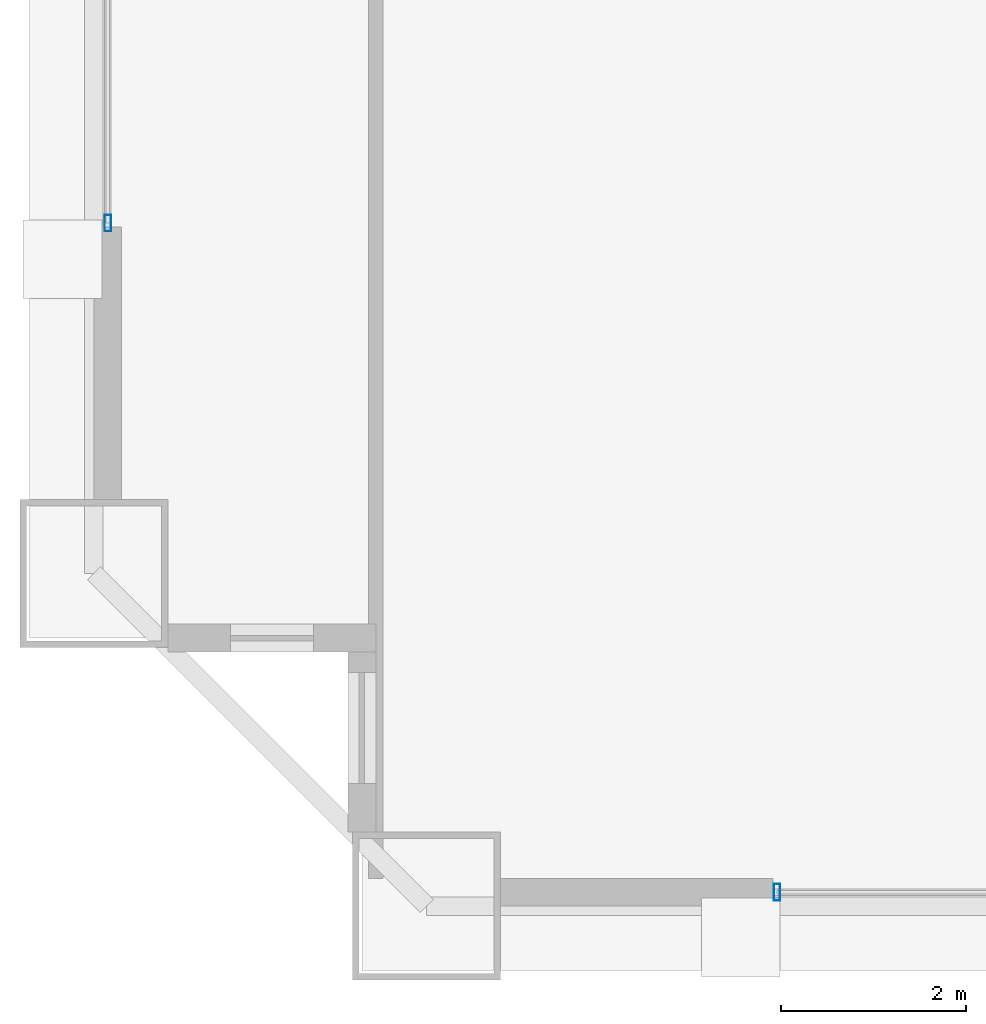
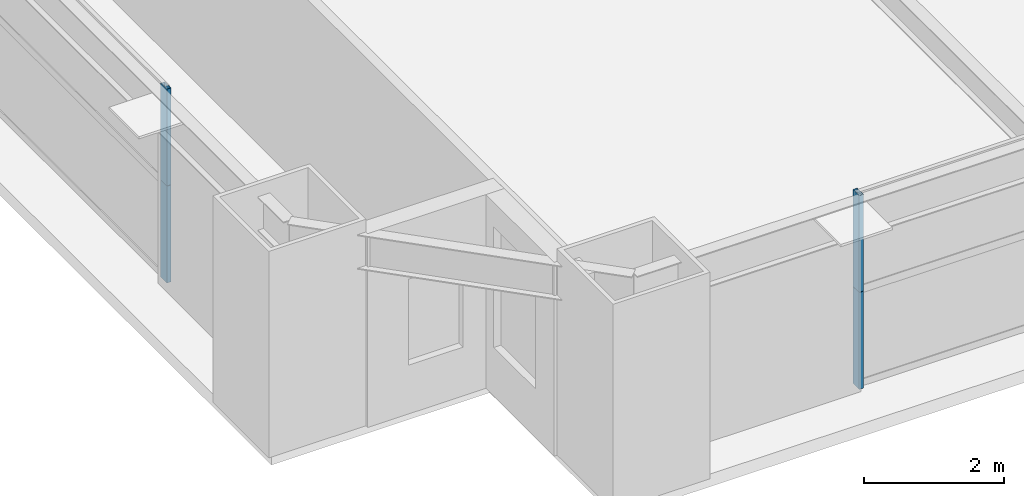
# One storey, part 3 of 38: 4 members, 2 elements without a shape of their own.
"""IFC4 building model written with IfcOpenShell, lengths in metres."""

import ifcopenshell
import ifcopenshell.guid

model = None  # the IFC model being written
_history = None  # IfcOwnerHistory: only IFC2X3 demands one
_inside = {}  # id of a spatial element -> (the spatial element, [elements in it])
_under = {}  # id of a project, library or spatial element -> (it, [spatial elements below it])
_declared = {}  # id of a project -> (the project, [libraries it declares])
_typed = {}  # id of a type object -> (the type object, [elements of that type])
_made_of = {}  # id of a material, layer set ... -> (it, [elements and type objects made of it])


def new_model(schema):
    """Start an empty IFC model of exactly this schema.

    Asked for "IFC4X3", IfcOpenShell would pick the latest addendum, in which some entities
    have other attributes; the version numbers below select the first issue.
    IFC2X3 requires an IfcOwnerHistory on every rooted entity: one is made here for all.
    """
    global model, _history
    if schema == "IFC4X3":
        model = ifcopenshell.file(schema_version=(4, 3, 0, 0))
    else:
        model = ifcopenshell.file(schema=schema)
    _inside.clear()
    _under.clear()
    _declared.clear()
    _typed.clear()
    _made_of.clear()
    _history = None
    if model.schema == "IFC2X3":
        org = make("IfcOrganization", Name="unknown")
        user = make(
            "IfcPersonAndOrganization",
            ThePerson=make("IfcPerson", FamilyName="unknown"),
            TheOrganization=org,
        )
        app = make(
            "IfcApplication",
            ApplicationDeveloper=org,
            Version="unknown",
            ApplicationFullName="unknown",
            ApplicationIdentifier="unknown",
        )
        _history = make(
            "IfcOwnerHistory",
            OwningUser=user,
            OwningApplication=app,
            ChangeAction="ADDED",
            CreationDate=0,
        )
    return model


def make(cls, **values):
    """One entity of the class cls with the attributes given. An attribute that is None is left unset."""
    return model.create_entity(
        cls, **{name: value for name, value in values.items() if value is not None}
    )


def rooted(cls, **values):
    """An entity with a GlobalId (a new one), such as an element, a storey or a relation."""
    return make(cls, GlobalId=ifcopenshell.guid.new(), OwnerHistory=_history, **values)


def si_unit(unit_type, name, prefix=None):
    """IfcSIUnit, for example si_unit("LENGTHUNIT", "METRE", prefix="MILLI")."""
    return make("IfcSIUnit", UnitType=unit_type, Prefix=prefix, Name=name)


def assignment(units):
    """IfcUnitAssignment: the units of a project."""
    return None if units is None else make("IfcUnitAssignment", Units=units)


def point(xyz):
    """IfcCartesianPoint."""
    return None if xyz is None else make("IfcCartesianPoint", Coordinates=xyz)


def direction(xyz):
    """IfcDirection."""
    return None if xyz is None else make("IfcDirection", DirectionRatios=xyz)


def frame(location, z_axis=None, x_axis=None):
    """IfcAxis2Placement3D, a coordinate frame: its origin and axes. An axis left out is left unset."""
    return make(
        "IfcAxis2Placement3D",
        Location=point(location),
        Axis=direction(z_axis),
        RefDirection=direction(x_axis),
    )


def frame_2d(location, x_axis=None):
    """IfcAxis2Placement2D, a coordinate frame in the plane: its origin and x axis."""
    return make(
        "IfcAxis2Placement2D", Location=point(location), RefDirection=direction(x_axis)
    )


def origin():
    """The frame at (0, 0, 0) with its axes left unset."""
    return frame((0.0, 0.0, 0.0))


def origin_2d():
    """The frame at (0, 0) in the plane with its x axis left unset."""
    return frame_2d((0.0, 0.0))


def place(relative_to, where):
    """IfcLocalPlacement: puts the frame where relative to a parent placement (None: the world)."""
    return make(
        "IfcLocalPlacement", PlacementRelTo=relative_to, RelativePlacement=where
    )


def context(
    kind, dimensions, precision=None, world=None, true_north=None, identifier=None
):
    """IfcGeometricRepresentationContext, for example the 3D "Model" context."""
    return make(
        "IfcGeometricRepresentationContext",
        ContextIdentifier=identifier,
        ContextType=kind,
        CoordinateSpaceDimension=dimensions,
        Precision=precision,
        WorldCoordinateSystem=world,
        TrueNorth=true_north,
    )


def subcontext(parent, identifier, kind, view, scale=None):
    """IfcGeometricRepresentationSubContext, for example "Body" below "Model"."""
    return make(
        "IfcGeometricRepresentationSubContext",
        ContextIdentifier=identifier,
        ContextType=kind,
        ParentContext=parent,
        TargetScale=scale,
        TargetView=view,
    )


def project(units=None, contexts=None):
    """IfcProject with its units and contexts."""
    return rooted(
        "IfcProject",
        Name="project",
        RepresentationContexts=contexts,
        UnitsInContext=assignment(units),
    )


def spatial(cls, under=None, at=None, **own):
    """A site, building, storey or space (cls), placed at a placement, below another one or the project."""
    s = rooted(cls, ObjectPlacement=at, **own)
    if under is not None:
        _under.setdefault(under.id(), (under, []))[1].append(s)
    return s


def profile(cls, at=None, kind="AREA", **sizes):
    """A parametric profile (cls). Its sizes go by their IFC names, for example OverallWidth=200.0."""
    return make(cls, ProfileType=kind, Position=at, **sizes)


def hollow_rectangle(**sizes):
    """IfcRectangleHollowProfileDef."""
    return profile("IfcRectangleHollowProfileDef", **sizes)


def extrude(swept, where, along, depth):
    """IfcExtrudedAreaSolid: the profile swept, set in the frame where, extruded along a direction by depth."""
    return make(
        "IfcExtrudedAreaSolid",
        SweptArea=swept,
        Position=where,
        ExtrudedDirection=direction(along),
        Depth=depth,
    )


def shape(context_of_items, identifier, shape_type, items):
    """IfcShapeRepresentation: the items that make up one representation, for example the "Body"."""
    return make(
        "IfcShapeRepresentation",
        ContextOfItems=context_of_items,
        RepresentationIdentifier=identifier,
        RepresentationType=shape_type,
        Items=items,
    )


def source(mapping_origin, context_of_items, identifier, shape_type, items):
    """IfcRepresentationMap: a shape defined once, which mapped items show again and again."""
    return make(
        "IfcRepresentationMap",
        MappingOrigin=mapping_origin,
        MappedRepresentation=shape(context_of_items, identifier, shape_type, items),
    )


def transform(
    local_origin,
    x_axis=None,
    y_axis=None,
    z_axis=None,
    scale=None,
    scale2=None,
    scale3=None,
    uniform=True,
):
    """IfcCartesianTransformationOperator3D, or its non-uniform kind. x_axis, y_axis, z_axis: its Axis1, 2, 3."""
    if uniform:
        return make(
            "IfcCartesianTransformationOperator3D",
            Axis1=direction(x_axis),
            Axis2=direction(y_axis),
            LocalOrigin=point(local_origin),
            Scale=scale,
            Axis3=direction(z_axis),
        )
    return make(
        "IfcCartesianTransformationOperator3DnonUniform",
        Axis1=direction(x_axis),
        Axis2=direction(y_axis),
        LocalOrigin=point(local_origin),
        Scale=scale,
        Axis3=direction(z_axis),
        Scale2=scale2,
        Scale3=scale3,
    )


def mapped(mapping_source, mapping_target):
    """IfcMappedItem: shows the shape of a source again, moved by a transform."""
    return make(
        "IfcMappedItem", MappingSource=mapping_source, MappingTarget=mapping_target
    )


def material(Name=None, Category=None):
    """IfcMaterial."""
    return make("IfcMaterial", Name=Name, Category=Category)


def layer(
    of_material, thickness, ventilated=None, Name=None, Category=None, Priority=None
):
    """IfcMaterialLayer: one layer of a wall or slab, of a material (None: an air gap)."""
    return make(
        "IfcMaterialLayer",
        Material=of_material,
        LayerThickness=thickness,
        IsVentilated=ventilated,
        Name=Name,
        Category=Category,
        Priority=Priority,
    )


def layer_set(layers, Name=None):
    """IfcMaterialLayerSet."""
    return make("IfcMaterialLayerSet", MaterialLayers=layers, LayerSetName=Name)


def material_profile(
    of_material, cross_section, Name=None, Category=None, Priority=None
):
    """IfcMaterialProfile: a cross section and its material."""
    return make(
        "IfcMaterialProfile",
        Name=Name,
        Material=of_material,
        Profile=cross_section,
        Priority=Priority,
        Category=Category,
    )


def profile_set(profiles, Name=None, composite=None):
    """IfcMaterialProfileSet."""
    return make(
        "IfcMaterialProfileSet",
        Name=Name,
        MaterialProfiles=profiles,
        CompositeProfile=composite,
    )


def made_of(thing, what):
    """Note that an element or type object is made of a material, layer set ...; save() writes the relation."""
    if what is not None:
        _made_of.setdefault(what.id(), (what, []))[1].append(thing)
    return thing


def type_object(cls, material=None, **own):
    """A type object (cls), such as IfcWallType, which elements share."""
    return made_of(rooted(cls, **own), material)


def element(
    cls,
    number,
    at=None,
    inside=None,
    cuts=None,
    type_object=None,
    material=None,
    context=None,
    identifier="Body",
    shape_type=None,
    held_by="IfcProductDefinitionShape",
    body=None,
    shapes=None,
    **own,
):
    """One element of the class cls, such as IfcWall. Its Tag is "e" and its number.

    at: its placement. inside: the storey or other place that contains it. cuts: it is an
    opening in that element (IfcRelVoidsElement). A single representation is given by context,
    identifier, shape_type and body (its items); several are given by shapes. held_by: the class
    of the entity that holds the representations. save() writes the other relations.
    """
    e = rooted(cls, Tag="e%d" % number, ObjectPlacement=at, **own)
    if body is not None:
        shapes = [shape(context, identifier, shape_type, body)]
    if shapes is not None:
        e.Representation = make(held_by, Representations=shapes)
    if inside is not None:
        _inside.setdefault(inside.id(), (inside, []))[1].append(e)
    if cuts is not None:
        rooted(
            "IfcRelVoidsElement", RelatingBuildingElement=cuts, RelatedOpeningElement=e
        )
    if type_object is not None:
        _typed.setdefault(type_object.id(), (type_object, []))[1].append(e)
    return made_of(e, material)


def aggregate(whole, parts):
    """IfcRelAggregates: a whole, such as a stair, and the parts it consists of."""
    return rooted("IfcRelAggregates", RelatingObject=whole, RelatedObjects=parts)


def save(model, path):
    """Write the relations noted so far, then the file.

    IfcRelAggregates (storeys below a building ...), IfcRelContainedInSpatialStructure (elements
    in a storey), IfcRelDefinesByType, IfcRelAssociatesMaterial and IfcRelDeclares: one each for
    every whole, place, type object, material and project.
    """
    for whole, parts in _under.values():
        aggregate(whole, parts)
    for where, things in _inside.values():
        rooted(
            "IfcRelContainedInSpatialStructure",
            RelatedElements=things,
            RelatingStructure=where,
        )
    for kind, things in _typed.values():
        rooted("IfcRelDefinesByType", RelatedObjects=things, RelatingType=kind)
    for what, things in _made_of.values():
        rooted("IfcRelAssociatesMaterial", RelatedObjects=things, RelatingMaterial=what)
    for by, libraries in _declared.values():
        rooted("IfcRelDeclares", RelatingContext=by, RelatedDefinitions=libraries)
    model.write(path)


model = new_model("IFC4")

# Units and contexts
model_context = context("Model", 3, precision=1e-05, world=origin(), true_north=direction((0.0, 1.0)))
body_context = subcontext(model_context, "Body", "Model", "MODEL_VIEW")
ifc_project = project(units=[si_unit("LENGTHUNIT", "METRE"), si_unit("AREAUNIT", "SQUARE_METRE"), si_unit("VOLUMEUNIT", "CUBIC_METRE"), si_unit("PLANEANGLEUNIT", "RADIAN"), si_unit("MASSUNIT", "GRAM", prefix="KILO"), si_unit("THERMODYNAMICTEMPERATUREUNIT", "KELVIN"), si_unit("POWERUNIT", "WATT")], contexts=[model_context])

# Site, building, storey
site_placement = place(None, origin())
site = spatial("IfcSite", under=ifc_project, at=site_placement, CompositionType="ELEMENT")
building_placement = place(site_placement, origin())
building = spatial("IfcBuilding", under=site, at=building_placement, Name="Yuzanri Waterfront Tower", CompositionType="ELEMENT")
storey_placement = place(building_placement, frame((0.0, 0.0, 111.800048828125)))
storey = spatial("IfcBuildingStorey", under=building, at=storey_placement, Name="L29", CompositionType="ELEMENT", Elevation=111.800048828125)

# Curtain wall, members
ifc_material_1 = material(Name="Anodized Architectural Bronze", Category="metal")
ifc_layer = layer(ifc_material_1, 0.159912109375)
ifc_layer_set = layer_set([ifc_layer], Name="Anodized Architectural Bronze")
curtain_wall_type = type_object("IfcCurtainWallType", Name="Anodized Bronze Hotel Upper-Tier Solar-Control Unitized Curtain Wall 7800", PredefinedType="NOTDEFINED", material=ifc_layer_set)
curtain_wall_1_placement = place(storey_placement, origin())
curtain_wall_1 = element("IfcCurtainWall", 1, at=curtain_wall_1_placement, inside=storey, type_object=curtain_wall_type, Name="L29 Curtain Wall CW-L29-SL", PredefinedType="NOTDEFINED")
ifc_material_2 = material(Name="Anodized Architectural Bronze", Category="metal")
ifc_material_profile = material_profile(ifc_material_2, hollow_rectangle(XDim=0.070068359375, YDim=0.179931640625, WallThickness=0.00390625, at=origin_2d()), Name="CWM 70x180")
ifc_profile_set = profile_set([ifc_material_profile], Name="Anodized Architectural Bronze")
member_type = type_object("IfcMemberType", Name="Anodized Bronze Standard Curtain-Wall Mullion 70x180", PredefinedType="MULLION", material=ifc_profile_set)
shared_shape = source(origin(), body_context, "Body", "SweptSolid", [
    extrude(hollow_rectangle(XDim=0.070068359375, YDim=0.179931640625, WallThickness=0.00390625, at=origin_2d()), origin(), (0.0, 0.0, 1.0), 1.68798828125),
])
member_1_placement = place(storey_placement, frame((20.7900390625, 2.35009765625, 0.0), z_axis=(0.0, 0.0, 1.0), x_axis=(1.0, 0.0, 0.0)))
member_1 = element("IfcMember", 2, at=member_1_placement, type_object=member_type, Name="CW-L29-SL Lower Mullion 00", PredefinedType="MULLION", context=body_context, shape_type="MappedRepresentation", body=[
    mapped(shared_shape, transform((0.0, 0.0, 0.0), scale=1.0)),
])
member_2_placement = place(storey_placement, frame((20.7900390625, 2.35009765625, 1.69189453125), z_axis=(0.0, 0.0, 1.0), x_axis=(1.0, 0.0, 0.0)))
member_2 = element("IfcMember", 3, at=member_2_placement, type_object=member_type, Name="CW-L29-SL Upper Mullion 00", PredefinedType="MULLION", context=body_context, shape_type="MappedRepresentation", body=[
    mapped(shared_shape, transform((0.0, 0.0, 0.0), scale=1.0)),
])
aggregate(curtain_wall_1, [member_1, member_2])

curtain_wall_2_placement = place(storey_placement, origin())
curtain_wall_2 = element("IfcCurtainWall", 4, at=curtain_wall_2_placement, inside=storey, type_object=curtain_wall_type, Name="L29 Curtain Wall CW-L29-WL", PredefinedType="NOTDEFINED")
member_3_placement = place(storey_placement, frame((13.550048828125, 9.590087890625, 0.0), z_axis=(0.0, 0.0, 1.0), x_axis=(1.0, 0.0, 0.0)))
member_3 = element("IfcMember", 5, at=member_3_placement, type_object=member_type, Name="CW-L29-WL Lower Mullion 00", PredefinedType="MULLION", context=body_context, shape_type="MappedRepresentation", body=[
    mapped(shared_shape, transform((0.0, 0.0, 0.0), scale=1.0)),
])
member_4_placement = place(storey_placement, frame((13.550048828125, 9.590087890625, 1.69189453125), z_axis=(0.0, 0.0, 1.0), x_axis=(1.0, 0.0, 0.0)))
member_4 = element("IfcMember", 6, at=member_4_placement, type_object=member_type, Name="CW-L29-WL Upper Mullion 00", PredefinedType="MULLION", context=body_context, shape_type="MappedRepresentation", body=[
    mapped(shared_shape, transform((0.0, 0.0, 0.0), scale=1.0)),
])
aggregate(curtain_wall_2, [member_3, member_4])

save(model, "model.ifc")
